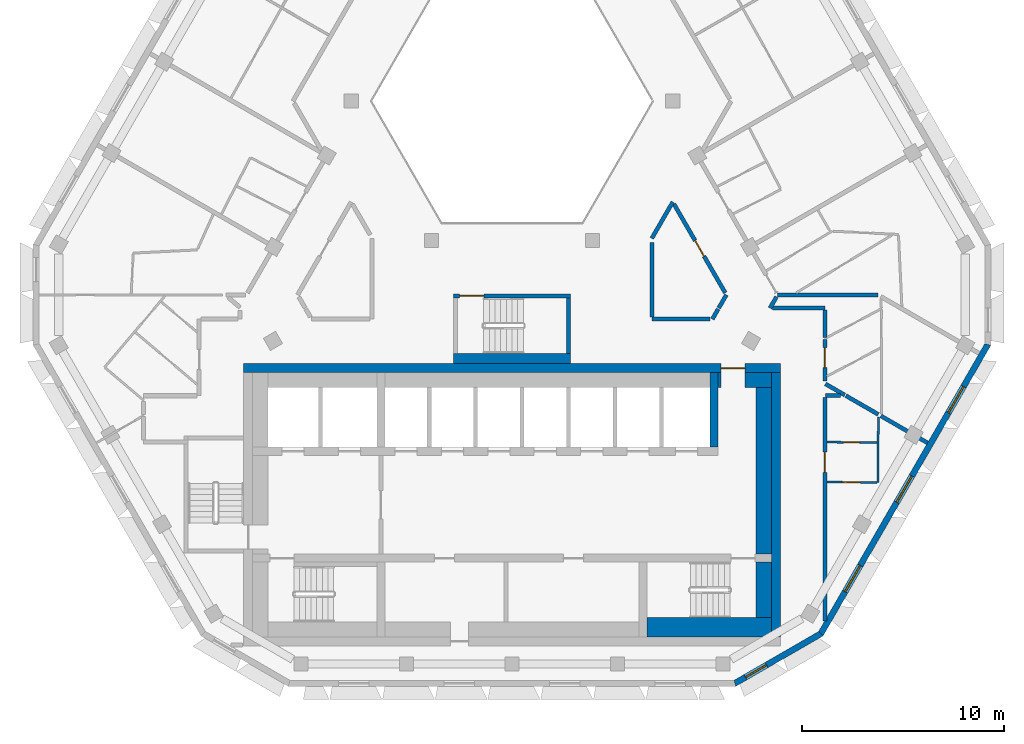
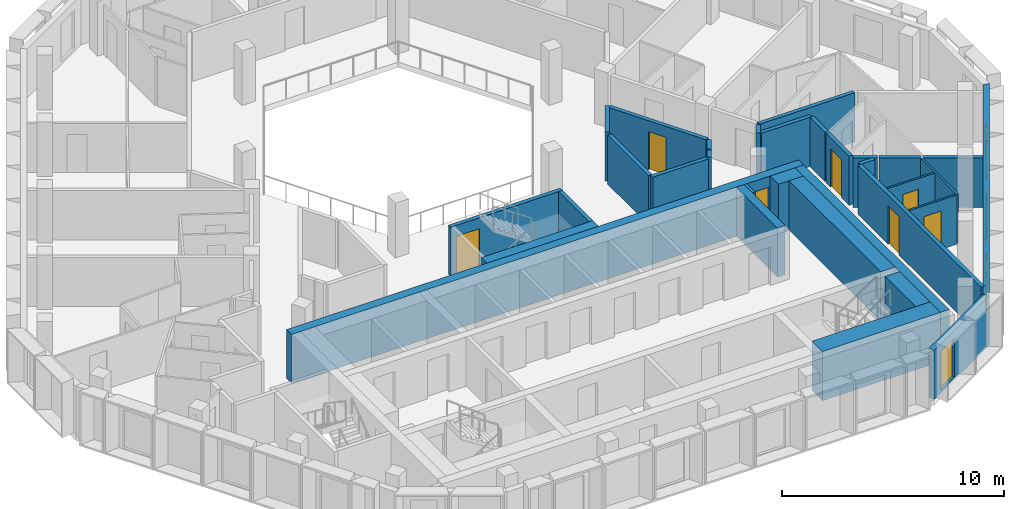
# One storey, part 5 of 15: 32 walls, 7 doors, 4 windows, 11 openings.
"""IFC4 building model written with IfcOpenShell, lengths in metres."""

from ifc_helpers import new_model, si_unit, direction, frame, frame_2d, origin, place, context, subcontext, project, spatial, polyline, rectangle, outline, extrude, material, layer, layer_set, type_object, element, fill, save


model = new_model("IFC4")

# Units and contexts
model_context = context("Model", 3, precision=1e-05, world=origin(), true_north=direction((0.0, 1.0)))
body_context = subcontext(model_context, "Body", "Model", "MODEL_VIEW")
ifc_project = project(units=[si_unit("LENGTHUNIT", "METRE"), si_unit("AREAUNIT", "SQUARE_METRE"), si_unit("VOLUMEUNIT", "CUBIC_METRE"), si_unit("PLANEANGLEUNIT", "RADIAN"), si_unit("MASSUNIT", "GRAM", prefix="KILO")], contexts=[model_context])

# Site, building, storey
site_placement = place(None, origin())
site = spatial("IfcSite", under=ifc_project, at=site_placement, CompositionType="ELEMENT")
building_placement = place(site_placement, origin())
building = spatial("IfcBuilding", under=site, at=building_placement, Name="Beryl Residences", CompositionType="ELEMENT")
storey_placement = place(building_placement, frame((0.0, 0.0, 211.800048828125)))
storey = spatial("IfcBuildingStorey", under=building, at=storey_placement, Name="L65", CompositionType="ELEMENT", Elevation=211.800048828125)

# Wall, opening, window
ifc_material_1 = material(Name="Composite metal panel with mineral wool insulation")
ifc_layer_1 = layer(ifc_material_1, 0.300048828125)
ifc_layer_set_1 = layer_set([ifc_layer_1], Name="ES1 pale metal composite panel wall 300 mm")
wall_type_1 = type_object("IfcWallType", Name="ES1 pale metal composite panel wall 300 mm", PredefinedType="SOLIDWALL", material=ifc_layer_set_1)
wall_1_placement = place(storey_placement, frame((11.010009765625, -20.8701171875, 0.0), z_axis=(0.0, 0.0, 1.0), x_axis=(0.866022959057, 0.500004234368, 0.0)))
wall_1 = element("IfcWall", 1, at=wall_1_placement, inside=storey, type_object=wall_type_1, Name="ES1 external wall L65 S-SE", PredefinedType="SOLIDWALL", context=body_context, shape_type="SweptSolid", body=[
    extrude(outline(polyline([(0.0, -0.14990234375), (5.0, -0.14990234375), (4.919677734375, 0.14990234375), (0.080322265625, 0.14990234375), (0.0, -0.14990234375)])), origin(), (0.0, 0.0, 1.0), 2.699951171875),
])
opening_1_placement = place(wall_1_placement, frame((0.64990234375, 0.0, 0.14990234375)))
opening_1 = element("IfcOpeningElement", 2, at=opening_1_placement, cuts=wall_1, Name="Opening W2", PredefinedType="OPENING", context=body_context, shape_type="SweptSolid", body=[
    extrude(rectangle(XDim=1.199951171875, YDim=2.10009765625, at=frame_2d((0.60009765625, 1.050048828125))), frame((0.0, 0.159912109375, 0.0), z_axis=(0.0, -1.0, 0.0), x_axis=(1.0, 0.0, 0.0)), (0.0, 0.0, 1.0), 0.320068359375),
])
ifc_material_2 = material(Name="Aluminium and clear glass", Category="aluminium")
window_type_1 = type_object("IfcWindowType", Name="W2 chamfer window 1200 x 2100 mm", PartitioningType="SINGLE_PANEL", PredefinedType="WINDOW", material=ifc_material_2)
window_1_placement = place(opening_1_placement, origin())
window_1 = element("IfcWindow", 3, at=window_1_placement, inside=storey, type_object=window_type_1, Name="W2 window L65 S-SE 1", OverallHeight=2.10009765625, OverallWidth=1.199951171875, PartitioningType="SINGLE_PANEL", PredefinedType="WINDOW", context=body_context, shape_type="SweptSolid", body=[
    extrude(rectangle(XDim=1.199951171875, YDim=2.10009765625, at=frame_2d((0.60009765625, 1.050048828125))), frame((0.0, 0.030029296875, 0.0), z_axis=(0.0, -1.0, 0.0), x_axis=(1.0, 0.0, 0.0)), (0.0, 0.0, 1.0), 0.06005859375),
])
fill(opening_1, window_1)

# Wall, openings, windows
wall_2_placement = place(storey_placement, frame((15.284912109375, -18.425048828125, 0.0), z_axis=(0.0, 0.0, 1.0), x_axis=(0.500012653391, 0.866018098222, 0.0)))
wall_2 = element("IfcWall", 4, at=wall_2_placement, inside=storey, type_object=wall_type_1, Name="ES1 external wall L65 SE", PredefinedType="SOLIDWALL", context=body_context, shape_type="SweptSolid", body=[
    extrude(outline(polyline([(0.0, -0.14990234375), (16.6279296875, -0.14990234375), (16.547607421875, 0.14990234375), (0.080322265625, 0.14990234375), (0.0, -0.14990234375)])), origin(), (0.0, 0.0, 1.0), 2.699951171875),
])
opening_2_placement = place(wall_2_placement, frame((2.444091796875, 0.0, 0.14990234375)))
opening_2 = element("IfcOpeningElement", 5, at=opening_2_placement, cuts=wall_2, Name="Opening W1", PredefinedType="OPENING", context=body_context, shape_type="SweptSolid", body=[
    extrude(rectangle(XDim=1.5, YDim=2.10009765625, at=frame_2d((0.75, 1.050048828125))), frame((0.0, 0.159912109375, 0.0), z_axis=(0.0, -1.0, 0.0), x_axis=(1.0, 0.0, 0.0)), (0.0, 0.0, 1.0), 0.320068359375),
])
opening_3_placement = place(wall_2_placement, frame((7.56396484375, 0.0, 0.14990234375)))
opening_3 = element("IfcOpeningElement", 6, at=opening_3_placement, cuts=wall_2, Name="Opening W1", PredefinedType="OPENING", context=body_context, shape_type="SweptSolid", body=[
    extrude(rectangle(XDim=1.5, YDim=2.10009765625, at=frame_2d((0.75, 1.050048828125))), frame((0.0, 0.159912109375, 0.0), z_axis=(0.0, -1.0, 0.0), x_axis=(1.0, 0.0, 0.0)), (0.0, 0.0, 1.0), 0.320068359375),
])
opening_4_placement = place(wall_2_placement, frame((12.681884765625, 0.0, 0.14990234375)))
opening_4 = element("IfcOpeningElement", 7, at=opening_4_placement, cuts=wall_2, Name="Opening W1", PredefinedType="OPENING", context=body_context, shape_type="SweptSolid", body=[
    extrude(rectangle(XDim=1.5, YDim=2.10009765625, at=frame_2d((0.75, 1.050048828125))), frame((0.0, 0.159912109375, 0.0), z_axis=(0.0, -1.0, 0.0), x_axis=(1.0, 0.0, 0.0)), (0.0, 0.0, 1.0), 0.320068359375),
])
ifc_material_3 = material(Name="Aluminium and clear glass", Category="aluminium")
window_type_2 = type_object("IfcWindowType", Name="W1 cell window 1500 x 2100 mm", PartitioningType="SINGLE_PANEL", PredefinedType="WINDOW", material=ifc_material_3)
window_2_placement = place(opening_2_placement, origin())
window_2 = element("IfcWindow", 8, at=window_2_placement, inside=storey, type_object=window_type_2, Name="W1 window L65 SE 2", OverallHeight=2.10009765625, OverallWidth=1.5, PartitioningType="SINGLE_PANEL", PredefinedType="WINDOW", context=body_context, shape_type="SweptSolid", body=[
    extrude(rectangle(XDim=1.5, YDim=2.10009765625, at=frame_2d((0.75, 1.050048828125))), frame((0.0, 0.030029296875, 0.0), z_axis=(0.0, -1.0, 0.0), x_axis=(1.0, 0.0, 0.0)), (0.0, 0.0, 1.0), 0.06005859375),
])
fill(opening_2, window_2)
window_3_placement = place(opening_3_placement, origin())
window_3 = element("IfcWindow", 9, at=window_3_placement, inside=storey, type_object=window_type_2, Name="W1 window L65 SE 4", OverallHeight=2.10009765625, OverallWidth=1.5, PartitioningType="SINGLE_PANEL", PredefinedType="WINDOW", context=body_context, shape_type="SweptSolid", body=[
    extrude(rectangle(XDim=1.5, YDim=2.10009765625, at=frame_2d((0.75, 1.050048828125))), frame((0.0, 0.030029296875, 0.0), z_axis=(0.0, -1.0, 0.0), x_axis=(1.0, 0.0, 0.0)), (0.0, 0.0, 1.0), 0.06005859375),
])
fill(opening_3, window_3)
window_4_placement = place(opening_4_placement, origin())
window_4 = element("IfcWindow", 10, at=window_4_placement, inside=storey, type_object=window_type_2, Name="W1 window L65 SE 6", OverallHeight=2.10009765625, OverallWidth=1.5, PartitioningType="SINGLE_PANEL", PredefinedType="WINDOW", context=body_context, shape_type="SweptSolid", body=[
    extrude(rectangle(XDim=1.5, YDim=2.10009765625, at=frame_2d((0.75, 1.050048828125))), frame((0.0, 0.030029296875, 0.0), z_axis=(0.0, -1.0, 0.0), x_axis=(1.0, 0.0, 0.0)), (0.0, 0.0, 1.0), 0.06005859375),
])
fill(opening_4, window_4)

# Wall, opening, door
ifc_material_4 = material(Name="Gypsum board partition on steel studs", Category="steel")
ifc_layer_2 = layer(ifc_material_4, 0.10009765625)
ifc_layer_set_2 = layer_set([ifc_layer_2], Name="PT1 partition 100 mm gypsum board on steel studs")
wall_type_2 = type_object("IfcWallType", Name="PT1 partition 100 mm gypsum board on steel studs", PredefinedType="PARTITIONING", material=ifc_layer_set_2)
wall_3_placement = place(storey_placement, frame((15.60009765625, -8.90087890625, 0.0), z_axis=(0.0, 0.0, 1.0), x_axis=(0.999986038514, -0.005284200615, 0.0)))
wall_3 = element("IfcWall", 11, at=wall_3_placement, inside=storey, type_object=wall_type_2, Name="Wall PT1 L65 001", PredefinedType="PARTITIONING", context=body_context, shape_type="SweptSolid", body=[
    extrude(rectangle(XDim=2.494873046875, YDim=0.10009765625, at=frame_2d((1.24755859375, 0.0))), origin(), (0.0, 0.0, 1.0), 2.699951171875),
])
opening_5_placement = place(wall_3_placement, frame((0.822998046875, 0.0, 0.0)))
opening_5 = element("IfcOpeningElement", 12, at=opening_5_placement, cuts=wall_3, Name="Opening D2132", PredefinedType="OPENING", context=body_context, shape_type="SweptSolid", body=[
    extrude(rectangle(XDim=0.800048828125, YDim=2.10009765625, at=frame_2d((0.39990234375, 1.050048828125))), frame((0.0, 0.06005859375, 0.0), z_axis=(0.0, -1.0, 0.0), x_axis=(1.0, 0.0, 0.0)), (0.0, 0.0, 1.0), 0.1201171875),
])
ifc_material_5 = material(Name="Timber door leaf", Category="wood")
door_type_1 = type_object("IfcDoorType", Name="D3 bathroom door 800 x 2100 mm", OperationType="SINGLE_SWING_LEFT", PredefinedType="DOOR", material=ifc_material_5)
door_1_placement = place(opening_5_placement, origin())
door_1 = element("IfcDoor", 13, at=door_1_placement, inside=storey, type_object=door_type_1, Name="Door D2132 L65 001", OperationType="SINGLE_SWING_RIGHT", OverallHeight=2.10009765625, OverallWidth=0.800048828125, PredefinedType="DOOR", context=body_context, shape_type="SweptSolid", body=[
    extrude(rectangle(XDim=0.800048828125, YDim=2.10009765625, at=frame_2d((0.39990234375, 1.050048828125))), frame((0.0, 0.02490234375, 0.0), z_axis=(0.0, -1.0, 0.0), x_axis=(1.0, 0.0, 0.0)), (0.0, 0.0, 1.0), 0.050048828125),
])
fill(opening_5, door_1)

wall_4_placement = place(storey_placement, frame((15.60009765625, -10.881103515625, 0.0), z_axis=(0.0, 0.0, 1.0), x_axis=(0.999986431575, -0.005209286502, 0.0)))
wall_4 = element("IfcWall", 14, at=wall_4_placement, inside=storey, type_object=wall_type_2, Name="Wall PT1 L65 002", PredefinedType="PARTITIONING", context=body_context, shape_type="SweptSolid", body=[
    extrude(rectangle(XDim=2.48388671875, YDim=0.10009765625, at=frame_2d((1.241943359375, 0.0))), origin(), (0.0, 0.0, 1.0), 2.699951171875),
])
opening_6_placement = place(wall_4_placement, frame((0.76806640625, 0.0, 0.0)))
opening_6 = element("IfcOpeningElement", 15, at=opening_6_placement, cuts=wall_4, Name="Opening D2131", PredefinedType="OPENING", context=body_context, shape_type="SweptSolid", body=[
    extrude(rectangle(XDim=0.89990234375, YDim=2.10009765625, at=frame_2d((0.449951171875, 1.050048828125))), frame((0.0, 0.06005859375, 0.0), z_axis=(0.0, -1.0, 0.0), x_axis=(1.0, 0.0, 0.0)), (0.0, 0.0, 1.0), 0.1201171875),
])
ifc_material_6 = material(Name="Timber door leaf", Category="wood")
door_type_2 = type_object("IfcDoorType", Name="D2 room door 900 x 2100 mm", OperationType="SINGLE_SWING_LEFT", PredefinedType="DOOR", material=ifc_material_6)
door_2_placement = place(opening_6_placement, origin())
door_2 = element("IfcDoor", 16, at=door_2_placement, inside=storey, type_object=door_type_2, Name="Door D2131 L65 001", OperationType="SINGLE_SWING_LEFT", OverallHeight=2.10009765625, OverallWidth=0.89990234375, PredefinedType="DOOR", context=body_context, shape_type="SweptSolid", body=[
    extrude(rectangle(XDim=0.89990234375, YDim=2.10009765625, at=frame_2d((0.449951171875, 1.050048828125))), frame((0.0, 0.02490234375, 0.0), z_axis=(0.0, -1.0, 0.0), x_axis=(1.0, 0.0, 0.0)), (0.0, 0.0, 1.0), 0.050048828125),
])
fill(opening_6, door_2)

# Walls
wall_5_placement = place(storey_placement, frame((18.135009765625, -10.89306640625, 0.0), z_axis=(0.0, 0.0, 1.0), x_axis=(0.005255182688, 0.999986191432, 0.0)))
element("IfcWall", 17, at=wall_5_placement, inside=storey, type_object=wall_type_2, Name="Wall PT1 L65 036", PredefinedType="PARTITIONING", context=body_context, shape_type="SweptSolid", body=[
    extrude(rectangle(XDim=3.251953125, YDim=0.10009765625, at=frame_2d((1.6259765625, 0.0))), origin(), (0.0, 0.0, 1.0), 2.699951171875),
])
ifc_material_7 = material(Name="Concrete masonry", Category="masonry")
ifc_layer_3 = layer(ifc_material_7, 0.14990234375)
ifc_layer_set_3 = layer_set([ifc_layer_3], Name="PT13-150 lobby wall 150 mm")
wall_type_3 = type_object("IfcWallType", Name="PT13-150 lobby wall 150 mm", PredefinedType="PARTITIONING", material=ifc_layer_set_3)
wall_6_placement = place(storey_placement, frame((10.27490234375, -6.199951171875, 0.0), z_axis=(0.0, 0.0, 1.0), x_axis=(0.0, 1.0, 0.0)))
element("IfcWall", 18, at=wall_6_placement, inside=storey, type_object=wall_type_3, Name="Lobby wall 24", PredefinedType="PARTITIONING", context=body_context, shape_type="SweptSolid", body=[
    extrude(rectangle(XDim=0.75, YDim=0.14990234375, at=frame_2d((0.375, 0.0))), origin(), (0.0, 0.0, 1.0), 2.699951171875),
])
ifc_material_8 = material(Name="Concrete masonry", Category="masonry")
ifc_layer_4 = layer(ifc_material_8, 0.75)
ifc_layer_set_4 = layer_set([ifc_layer_4], Name="PT13-750 lobby wall 750 mm")
wall_type_4 = type_object("IfcWallType", Name="PT13-750 lobby wall 750 mm", PredefinedType="PARTITIONING", material=ifc_layer_set_4)
wall_7_placement = place(storey_placement, frame((11.550048828125, -5.824951171875, 0.0), z_axis=(0.0, 0.0, 1.0), x_axis=(1.0, 0.0, 0.0)))
element("IfcWall", 19, at=wall_7_placement, inside=storey, type_object=wall_type_4, Name="Lobby wall 25", PredefinedType="PARTITIONING", context=body_context, shape_type="SweptSolid", body=[
    extrude(rectangle(XDim=1.300048828125, YDim=0.75, at=frame_2d((0.64990234375, 0.0))), origin(), (0.0, 0.0, 1.0), 2.699951171875),
])
wall_8_placement = place(storey_placement, frame((12.47509765625, -14.449951171875, 0.0), z_axis=(0.0, 0.0, 1.0), x_axis=(0.0, 1.0, 0.0)))
element("IfcWall", 20, at=wall_8_placement, inside=storey, type_object=wall_type_4, Name="Lobby wall 27", PredefinedType="PARTITIONING", context=body_context, shape_type="SweptSolid", body=[
    extrude(rectangle(XDim=8.25, YDim=0.75, at=frame_2d((4.125, 0.0))), origin(), (0.0, 0.0, 1.0), 2.699951171875),
])
ifc_material_9 = material(Name="Acoustic double stud gypsum board wall")
ifc_layer_5 = layer(ifc_material_9, 0.199951171875)
ifc_layer_set_5 = layer_set([ifc_layer_5], Name="PT3 party wall 200 mm acoustic double stud")
wall_type_5 = type_object("IfcWallType", Name="PT3 party wall 200 mm acoustic double stud", PredefinedType="PARTITIONING", material=ifc_layer_set_5)
wall_9_placement = place(storey_placement, frame((15.530029296875, -6.591064453125, 0.0), z_axis=(0.0, 0.0, 1.0), x_axis=(0.999992350786, -0.003911312976, 0.0)))
element("IfcWall", 21, at=wall_9_placement, inside=storey, type_object=wall_type_5, Name="Wall PT3 L65 001", PredefinedType="PARTITIONING", context=body_context, shape_type="SweptSolid", body=[
    extrude(rectangle(XDim=0.7490234375, YDim=0.199951171875, at=frame_2d((0.37451171875, 0.0))), origin(), (0.0, 0.0, 1.0), 2.699951171875),
])
wall_10_placement = place(storey_placement, frame((15.530029296875, -6.011962890625, 0.0), z_axis=(0.0, 0.0, 1.0), x_axis=(0.866075331272, -0.499913513082, 0.0)))
element("IfcWall", 22, at=wall_10_placement, inside=storey, type_object=wall_type_5, Name="Wall PT3 L65 007", PredefinedType="PARTITIONING", context=body_context, shape_type="SweptSolid", body=[
    extrude(rectangle(XDim=1.106201171875, YDim=0.199951171875, at=frame_2d((0.55322265625, 0.0))), origin(), (0.0, 0.0, 1.0), 2.699951171875),
])
wall_11_placement = place(storey_placement, frame((16.541015625, -6.595947265625, 0.0), z_axis=(0.0, 0.0, 1.0), x_axis=(0.866078502609, -0.499908018857, 0.0)))
element("IfcWall", 23, at=wall_11_placement, inside=storey, type_object=wall_type_5, Name="Wall PT3 L65 008", PredefinedType="PARTITIONING", context=body_context, shape_type="SweptSolid", body=[
    extrude(rectangle(XDim=1.860107421875, YDim=0.199951171875, at=frame_2d((0.93017578125, 0.0))), origin(), (0.0, 0.0, 1.0), 2.699951171875),
])
wall_12_placement = place(storey_placement, frame((18.280029296875, -7.60009765625, 0.0), z_axis=(0.0, 0.0, 1.0), x_axis=(0.866072847874, -0.499917815422, 0.0)))
element("IfcWall", 24, at=wall_12_placement, inside=storey, type_object=wall_type_5, Name="Wall PT3 L65 009", PredefinedType="PARTITIONING", context=body_context, shape_type="SweptSolid", body=[
    extrude(rectangle(XDim=2.66845703125, YDim=0.199951171875, at=frame_2d((1.334228515625, 0.0))), origin(), (0.0, 0.0, 1.0), 2.699951171875),
])
wall_13_placement = place(storey_placement, frame((13.1630859375, -1.59912109375, 0.0), z_axis=(0.0, 0.0, 1.0), x_axis=(1.0, 0.0, 0.0)))
element("IfcWall", 25, at=wall_13_placement, inside=storey, type_object=wall_type_5, Name="Wall PT3 L65 012", PredefinedType="PARTITIONING", context=body_context, shape_type="SweptSolid", body=[
    extrude(rectangle(XDim=4.9619140625, YDim=0.199951171875, at=frame_2d((2.48095703125, 0.0))), origin(), (0.0, 0.0, 1.0), 2.699951171875),
])

# Wall, opening, door
ifc_material_10 = material(Name="Double stud gypsum board wall")
ifc_layer_6 = layer(ifc_material_10, 0.199951171875)
ifc_layer_set_6 = layer_set([ifc_layer_6], Name="PT4 corridor wall 200 mm double stud")
wall_type_6 = type_object("IfcWallType", Name="PT4 corridor wall 200 mm double stud", PredefinedType="PARTITIONING", material=ifc_layer_set_6)
wall_14_placement = place(storey_placement, frame((8.02587890625, 2.89892578125, 0.0), z_axis=(0.0, 0.0, 1.0), x_axis=(0.499986018985, -0.866033475577, 0.0)))
wall_14 = element("IfcWall", 26, at=wall_14_placement, inside=storey, type_object=wall_type_6, Name="Wall PT4 L65 005", PredefinedType="PARTITIONING", context=body_context, shape_type="SweptSolid", body=[
    extrude(rectangle(XDim=5.078369140625, YDim=0.199951171875, at=frame_2d((2.5390625, 0.0))), origin(), (0.0, 0.0, 1.0), 2.699951171875),
])
opening_7_placement = place(wall_14_placement, frame((2.089111328125, 0.0, 0.0)))
opening_7 = element("IfcOpeningElement", 27, at=opening_7_placement, cuts=wall_14, Name="Opening D2145", PredefinedType="OPENING", context=body_context, shape_type="SweptSolid", body=[
    extrude(rectangle(XDim=0.89990234375, YDim=2.10009765625, at=frame_2d((0.449951171875, 1.050048828125))), frame((0.0, 0.10986328125, 0.0), z_axis=(0.0, -1.0, 0.0), x_axis=(1.0, 0.0, 0.0)), (0.0, 0.0, 1.0), 0.219970703125),
])
door_3_placement = place(opening_7_placement, origin())
door_3 = element("IfcDoor", 28, at=door_3_placement, inside=storey, type_object=door_type_2, Name="Door D2145 L65 001", OperationType="SINGLE_SWING_LEFT", OverallHeight=2.10009765625, OverallWidth=0.89990234375, PredefinedType="DOOR", context=body_context, shape_type="SweptSolid", body=[
    extrude(rectangle(XDim=0.89990234375, YDim=2.10009765625, at=frame_2d((0.449951171875, 1.050048828125))), frame((0.0, 0.02490234375, 0.0), z_axis=(0.0, -1.0, 0.0), x_axis=(1.0, 0.0, 0.0)), (0.0, 0.0, 1.0), 0.050048828125),
])
fill(opening_7, door_3)

# Walls
wall_15_placement = place(storey_placement, frame((6.927978515625, 1.0, 0.0), z_axis=(0.0, 0.0, 1.0), x_axis=(0.0, -1.0, 0.0)))
element("IfcWall", 29, at=wall_15_placement, inside=storey, type_object=wall_type_6, Name="Wall PT4 L65 009", PredefinedType="PARTITIONING", context=body_context, shape_type="SweptSolid", body=[
    extrude(rectangle(XDim=3.698974609375, YDim=0.199951171875, at=frame_2d((1.849609375, 0.0))), origin(), (0.0, 0.0, 1.0), 2.699951171875),
])
wall_16_placement = place(storey_placement, frame((15.5, -2.35595703125, 0.0), z_axis=(0.0, 0.0, 1.0), x_axis=(0.0, -1.0, 0.0)))
element("IfcWall", 30, at=wall_16_placement, inside=storey, type_object=wall_type_6, Name="Wall PT4 L65 010", PredefinedType="PARTITIONING", context=body_context, shape_type="SweptSolid", body=[
    extrude(rectangle(XDim=1.35400390625, YDim=0.199951171875, at=frame_2d((0.677001953125, 0.0))), origin(), (0.0, 0.0, 1.0), 2.699951171875),
])
wall_17_placement = place(storey_placement, frame((12.902099609375, -2.256103515625, 0.0), z_axis=(0.0, 0.0, 1.0), x_axis=(1.0, 0.0, 0.0)))
element("IfcWall", 31, at=wall_17_placement, inside=storey, type_object=wall_type_6, Name="Wall PT4 L65 013", PredefinedType="PARTITIONING", context=body_context, shape_type="SweptSolid", body=[
    extrude(rectangle(XDim=2.597900390625, YDim=0.199951171875, at=frame_2d((1.298828125, 0.0))), origin(), (0.0, 0.0, 1.0), 2.699951171875),
])
wall_18_placement = place(storey_placement, frame((6.928955078125, -2.800048828125, 0.0), z_axis=(0.0, 0.0, 1.0), x_axis=(1.0, 0.0, 0.0)))
element("IfcWall", 32, at=wall_18_placement, inside=storey, type_object=wall_type_6, Name="Wall PT4 L65 016", PredefinedType="PARTITIONING", context=body_context, shape_type="SweptSolid", body=[
    extrude(rectangle(XDim=2.885009765625, YDim=0.199951171875, at=frame_2d((1.4423828125, 0.0))), origin(), (0.0, 0.0, 1.0), 2.699951171875),
])
wall_19_placement = place(storey_placement, frame((6.927978515625, 1.199951171875, 0.0), z_axis=(0.0, 0.0, 1.0), x_axis=(0.500132712588, 0.865948768577, 0.0)))
element("IfcWall", 33, at=wall_19_placement, inside=storey, type_object=wall_type_6, Name="Wall PT4 L65 018", PredefinedType="PARTITIONING", context=body_context, shape_type="SweptSolid", body=[
    extrude(rectangle(XDim=2.07763671875, YDim=0.199951171875, at=frame_2d((1.038818359375, 0.0))), origin(), (0.0, 0.0, 1.0), 2.699951171875),
])
wall_20_placement = place(storey_placement, frame((9.929931640625, -2.800048828125, 0.0), z_axis=(0.0, 0.0, 1.0), x_axis=(0.500164219654, 0.865930570761, 0.0)))
element("IfcWall", 34, at=wall_20_placement, inside=storey, type_object=wall_type_6, Name="Wall PT4 L65 020", PredefinedType="PARTITIONING", context=body_context, shape_type="SweptSolid", body=[
    extrude(rectangle(XDim=0.573974609375, YDim=0.199951171875, at=frame_2d((0.287109375, 0.0))), origin(), (0.0, 0.0, 1.0), 2.699951171875),
])
wall_21_placement = place(storey_placement, frame((10.243896484375, -2.2548828125, 0.0), z_axis=(0.0, 0.0, 1.0), x_axis=(0.50109986513, 0.865389464442, 0.0)))
element("IfcWall", 35, at=wall_21_placement, inside=storey, type_object=wall_type_6, Name="Wall PT4 L65 021", PredefinedType="PARTITIONING", context=body_context, shape_type="SweptSolid", body=[
    extrude(rectangle(XDim=0.756591796875, YDim=0.199951171875, at=frame_2d((0.37841796875, 0.0))), origin(), (0.0, 0.0, 1.0), 2.699951171875),
])
wall_22_placement = place(storey_placement, frame((12.784912109375, -2.25390625, 0.0), z_axis=(0.0, 0.0, 1.0), x_axis=(0.500766044352, 0.865582675903, 0.0)))
element("IfcWall", 36, at=wall_22_placement, inside=storey, type_object=wall_type_6, Name="Wall PT4 L65 022", PredefinedType="PARTITIONING", context=body_context, shape_type="SweptSolid", body=[
    extrude(rectangle(XDim=0.64111328125, YDim=0.199951171875, at=frame_2d((0.320556640625, 0.0))), origin(), (0.0, 0.0, 1.0), 2.699951171875),
])

# Wall, opening, door
wall_23_placement = place(storey_placement, frame((15.5, -17.751953125, 0.0), z_axis=(0.0, 0.0, 1.0), x_axis=(0.0, 1.0, 0.0)))
wall_23 = element("IfcWall", 37, at=wall_23_placement, inside=storey, type_object=wall_type_6, Name="Wall PT4 L65 026", PredefinedType="PARTITIONING", context=body_context, shape_type="SweptSolid", body=[
    extrude(rectangle(XDim=11.06201171875, YDim=0.199951171875, at=frame_2d((5.531005859375, 0.0))), origin(), (0.0, 0.0, 1.0), 2.699951171875),
])
opening_8_placement = place(wall_23_placement, frame((7.361083984375, 0.0, 0.0)))
opening_8 = element("IfcOpeningElement", 38, at=opening_8_placement, cuts=wall_23, Name="Opening D2130", PredefinedType="OPENING", context=body_context, shape_type="SweptSolid", body=[
    extrude(rectangle(XDim=1.0, YDim=2.10009765625, at=frame_2d((0.5, 1.050048828125))), frame((0.0, 0.10986328125, 0.0), z_axis=(0.0, -1.0, 0.0), x_axis=(1.0, 0.0, 0.0)), (0.0, 0.0, 1.0), 0.219970703125),
])
ifc_material_11 = material(Name="Timber door leaf", Category="wood")
door_type_3 = type_object("IfcDoorType", Name="D1 flat entrance door 1000 x 2100 mm", OperationType="SINGLE_SWING_LEFT", PredefinedType="DOOR", material=ifc_material_11)
door_4_placement = place(opening_8_placement, origin())
door_4 = element("IfcDoor", 39, at=door_4_placement, inside=storey, type_object=door_type_3, Name="Door D2130 L65 001", OperationType="SINGLE_SWING_RIGHT", OverallHeight=2.10009765625, OverallWidth=1.0, PredefinedType="DOOR", context=body_context, shape_type="SweptSolid", body=[
    extrude(rectangle(XDim=1.0, YDim=2.10009765625, at=frame_2d((0.5, 1.050048828125))), frame((0.0, 0.02490234375, 0.0), z_axis=(0.0, -1.0, 0.0), x_axis=(1.0, 0.0, 0.0)), (0.0, 0.0, 1.0), 0.050048828125),
])
fill(opening_8, door_4)

wall_24_placement = place(storey_placement, frame((15.5, -5.87890625, 0.0), z_axis=(0.0, 0.0, 1.0), x_axis=(0.0, 1.0, 0.0)))
wall_24 = element("IfcWall", 40, at=wall_24_placement, inside=storey, type_object=wall_type_6, Name="Wall PT4 L65 027", PredefinedType="PARTITIONING", context=body_context, shape_type="SweptSolid", body=[
    extrude(rectangle(XDim=2.055908203125, YDim=0.199951171875, at=frame_2d((1.02783203125, 0.0))), origin(), (0.0, 0.0, 1.0), 2.699951171875),
])
opening_9_placement = place(wall_24_placement, frame((0.66796875, 0.0, 0.0)))
opening_9 = element("IfcOpeningElement", 41, at=opening_9_placement, cuts=wall_24, Name="Opening D2133", PredefinedType="OPENING", context=body_context, shape_type="SweptSolid", body=[
    extrude(rectangle(XDim=1.0, YDim=2.10009765625, at=frame_2d((0.5, 1.050048828125))), frame((0.0, 0.10986328125, 0.0), z_axis=(0.0, -1.0, 0.0), x_axis=(1.0, 0.0, 0.0)), (0.0, 0.0, 1.0), 0.219970703125),
])
door_5_placement = place(opening_9_placement, origin())
door_5 = element("IfcDoor", 42, at=door_5_placement, inside=storey, type_object=door_type_3, Name="Door D2133 L65 001", OperationType="SINGLE_SWING_LEFT", OverallHeight=2.10009765625, OverallWidth=1.0, PredefinedType="DOOR", context=body_context, shape_type="SweptSolid", body=[
    extrude(rectangle(XDim=1.0, YDim=2.10009765625, at=frame_2d((0.5, 1.050048828125))), frame((0.0, 0.02490234375, 0.0), z_axis=(0.0, -1.0, 0.0), x_axis=(1.0, 0.0, 0.0)), (0.0, 0.0, 1.0), 0.050048828125),
])
fill(opening_9, door_5)

ifc_material_12 = material(Name="Concrete C40/50", Category="concrete")
ifc_layer_7 = layer(ifc_material_12, 0.199951171875)
ifc_layer_set_7 = layer_set([ifc_layer_7], Name="PT5 stair enclosure wall 200 mm reinforced concrete C40/50")
wall_type_7 = type_object("IfcWallType", Name="PT5 stair enclosure wall 200 mm reinforced concrete C40/50", PredefinedType="SOLIDWALL", material=ifc_layer_set_7)
wall_25_placement = place(storey_placement, frame((-2.89990234375, -1.64990234375, 0.0), z_axis=(0.0, 0.0, 1.0), x_axis=(1.0, 0.0, 0.0)))
wall_25 = element("IfcWall", 43, at=wall_25_placement, inside=storey, type_object=wall_type_7, Name="Wall PT5 L65 001", PredefinedType="SOLIDWALL", context=body_context, shape_type="SweptSolid", body=[
    extrude(rectangle(XDim=5.7998046875, YDim=0.199951171875, at=frame_2d((2.89990234375, 0.0))), origin(), (0.0, 0.0, 1.0), 2.699951171875),
])
opening_10_placement = place(wall_25_placement, frame((0.300048828125, 0.0, 0.0)))
opening_10 = element("IfcOpeningElement", 44, at=opening_10_placement, cuts=wall_25, Name="Opening DS04", PredefinedType="OPENING", context=body_context, shape_type="SweptSolid", body=[
    extrude(rectangle(XDim=1.199951171875, YDim=2.10009765625, at=frame_2d((0.60009765625, 1.050048828125))), frame((0.0, 0.10986328125, 0.0), z_axis=(0.0, -1.0, 0.0), x_axis=(1.0, 0.0, 0.0)), (0.0, 0.0, 1.0), 0.219970703125),
])
ifc_material_13 = material(Name="Steel door leaf in steel frame", Category="steel")
door_type_4 = type_object("IfcDoorType", Name="D4 stair door 1200 x 2100 mm", OperationType="SINGLE_SWING_LEFT", PredefinedType="DOOR", material=ifc_material_13)
door_6_placement = place(opening_10_placement, origin())
door_6 = element("IfcDoor", 45, at=door_6_placement, inside=storey, type_object=door_type_4, Name="Door DS04 L65 001", OperationType="SINGLE_SWING_LEFT", OverallHeight=2.10009765625, OverallWidth=1.199951171875, PredefinedType="DOOR", context=body_context, shape_type="SweptSolid", body=[
    extrude(rectangle(XDim=1.199951171875, YDim=2.10009765625, at=frame_2d((0.60009765625, 1.050048828125))), frame((0.0, 0.02490234375, 0.0), z_axis=(0.0, -1.0, 0.0), x_axis=(1.0, 0.0, 0.0)), (0.0, 0.0, 1.0), 0.050048828125),
])
fill(opening_10, door_6)

# Walls
wall_26_placement = place(storey_placement, frame((2.800048828125, -4.5, 0.0), z_axis=(0.0, 0.0, 1.0), x_axis=(0.0, 1.0, 0.0)))
element("IfcWall", 46, at=wall_26_placement, inside=storey, type_object=wall_type_7, Name="Wall PT5 L65 003", PredefinedType="SOLIDWALL", context=body_context, shape_type="SweptSolid", body=[
    extrude(rectangle(XDim=2.75, YDim=0.199951171875, at=frame_2d((1.375, 0.0))), origin(), (0.0, 0.0, 1.0), 2.699951171875),
])
ifc_material_14 = material(Name="Concrete C40/50", Category="concrete")
ifc_layer_8 = layer(ifc_material_14, 0.5)
ifc_layer_set_8 = layer_set([ifc_layer_8], Name="PT5-500 stair enclosure wall 500 mm")
wall_type_8 = type_object("IfcWallType", Name="PT5-500 stair enclosure wall 500 mm", PredefinedType="SOLIDWALL", material=ifc_layer_set_8)
wall_27_placement = place(storey_placement, frame((-2.89990234375, -4.75, 0.0), z_axis=(0.0, 0.0, 1.0), x_axis=(1.0, 0.0, 0.0)))
element("IfcWall", 47, at=wall_27_placement, inside=storey, type_object=wall_type_8, Name="Wall PT5-500 L65 001", PredefinedType="SOLIDWALL", context=body_context, shape_type="SweptSolid", body=[
    extrude(rectangle(XDim=5.7998046875, YDim=0.5, at=frame_2d((2.89990234375, 0.0))), origin(), (0.0, 0.0, 1.0), 2.699951171875),
])
ifc_material_15 = material(Name="Concrete C40/50", Category="concrete")
ifc_layer_9 = layer(ifc_material_15, 0.75)
ifc_layer_set_9 = layer_set([ifc_layer_9], Name="PT5-750 stair enclosure wall 750 mm")
wall_type_9 = type_object("IfcWallType", Name="PT5-750 stair enclosure wall 750 mm", PredefinedType="SOLIDWALL", material=ifc_layer_set_9)
wall_28_placement = place(storey_placement, frame((12.47509765625, -17.60009765625, 0.0), z_axis=(0.0, 0.0, 1.0), x_axis=(0.0, 1.0, 0.0)))
element("IfcWall", 48, at=wall_28_placement, inside=storey, type_object=wall_type_9, Name="Stair wall 26", PredefinedType="SOLIDWALL", context=body_context, shape_type="SweptSolid", body=[
    extrude(rectangle(XDim=2.75, YDim=0.75, at=frame_2d((1.375, 0.0))), origin(), (0.0, 0.0, 1.0), 2.699951171875),
])
ifc_material_16 = material(Name="Concrete C40/50", Category="concrete")
ifc_layer_10 = layer(ifc_material_16, 0.949951171875)
ifc_layer_set_10 = layer_set([ifc_layer_10], Name="PT5-950 stair enclosure wall 950 mm")
wall_type_10 = type_object("IfcWallType", Name="PT5-950 stair enclosure wall 950 mm", PredefinedType="SOLIDWALL", material=ifc_layer_set_10)
wall_29_placement = place(storey_placement, frame((6.699951171875, -18.074951171875, 0.0), z_axis=(0.0, 0.0, 1.0), x_axis=(1.0, 0.0, 0.0)))
element("IfcWall", 49, at=wall_29_placement, inside=storey, type_object=wall_type_10, Name="Stair wall 22", PredefinedType="SOLIDWALL", context=body_context, shape_type="SweptSolid", body=[
    extrude(rectangle(XDim=6.150146484375, YDim=0.949951171875, at=frame_2d((3.0751953125, 0.0))), origin(), (0.0, 0.0, 1.0), 2.699951171875),
])
ifc_material_17 = material(Name="Concrete C50/60", Category="concrete")
ifc_layer_11 = layer(ifc_material_17, 0.39990234375)
ifc_layer_set_11 = layer_set([ifc_layer_11], Name="SW10 core internal wall 400 mm C50/60")
wall_type_11 = type_object("IfcWallType", Name="SW10 core internal wall 400 mm C50/60", PredefinedType="SHEAR", material=ifc_layer_set_11)
wall_30_placement = place(storey_placement, frame((10.0, -9.14990234375, 0.0), z_axis=(0.0, 0.0, 1.0), x_axis=(0.0, 1.0, 0.0)))
element("IfcWall", 50, at=wall_30_placement, inside=storey, type_object=wall_type_11, Name="Core wall XN2 L65", PredefinedType="SHEAR", context=body_context, shape_type="SweptSolid", body=[
    extrude(rectangle(XDim=3.699951171875, YDim=0.39990234375, at=frame_2d((1.85009765625, 0.0))), origin(), (0.0, 0.0, 1.0), 2.699951171875),
])

# Wall, opening, door
ifc_material_18 = material(Name="Concrete C50/60", Category="concrete")
ifc_layer_12 = layer(ifc_material_18, 0.449951171875)
ifc_layer_set_12 = layer_set([ifc_layer_12], Name="SW5 core outer wall 450 mm C50/60")
wall_type_12 = type_object("IfcWallType", Name="SW5 core outer wall 450 mm C50/60", PredefinedType="SHEAR", material=ifc_layer_set_12)
wall_31_placement = place(storey_placement, frame((-13.300048828125, -5.22509765625, 0.0), z_axis=(0.0, 0.0, 1.0), x_axis=(1.0, 0.0, 0.0)))
wall_31 = element("IfcWall", 51, at=wall_31_placement, inside=storey, type_object=wall_type_12, Name="Core wall N L65", PredefinedType="SHEAR", context=body_context, shape_type="SweptSolid", body=[
    extrude(rectangle(XDim=26.60009765625, YDim=0.449951171875, at=frame_2d((13.300048828125, 0.0))), origin(), (0.0, 0.0, 1.0), 2.699951171875),
])
opening_11_placement = place(wall_31_placement, frame((23.64990234375, 0.0, 0.0)))
opening_11 = element("IfcOpeningElement", 52, at=opening_11_placement, cuts=wall_31, Name="Opening FD-NORTH", PredefinedType="OPENING", context=body_context, shape_type="SweptSolid", body=[
    extrude(rectangle(XDim=1.199951171875, YDim=2.10009765625, at=frame_2d((0.60009765625, 1.050048828125))), frame((0.0, 0.23486328125, 0.0), z_axis=(0.0, -1.0, 0.0), x_axis=(1.0, 0.0, 0.0)), (0.0, 0.0, 1.0), 0.469970703125),
])
ifc_material_19 = material(Name="Steel door leaf in steel frame", Category="steel")
door_type_5 = type_object("IfcDoorType", Name="D22 lobby door 1200 x 2100 mm", OperationType="DOUBLE_DOOR_SINGLE_SWING", PredefinedType="DOOR", material=ifc_material_19)
door_7_placement = place(opening_11_placement, origin())
door_7 = element("IfcDoor", 53, at=door_7_placement, inside=storey, type_object=door_type_5, Name="Door FD-NORTH L65 001", OperationType="DOUBLE_DOOR_SINGLE_SWING", OverallHeight=2.10009765625, OverallWidth=1.199951171875, PredefinedType="DOOR", context=body_context, shape_type="SweptSolid", body=[
    extrude(rectangle(XDim=1.199951171875, YDim=2.10009765625, at=frame_2d((0.60009765625, 1.050048828125))), frame((0.0, 0.02490234375, 0.0), z_axis=(0.0, -1.0, 0.0), x_axis=(1.0, 0.0, 0.0)), (0.0, 0.0, 1.0), 0.050048828125),
])
fill(opening_11, door_7)

# Wall
wall_32_placement = place(storey_placement, frame((13.074951171875, -18.550048828125, 0.0), z_axis=(0.0, 0.0, 1.0), x_axis=(0.0, 1.0, 0.0)))
element("IfcWall", 54, at=wall_32_placement, inside=storey, type_object=wall_type_12, Name="Core wall E L65", PredefinedType="SHEAR", context=body_context, shape_type="SweptSolid", body=[
    extrude(rectangle(XDim=13.10009765625, YDim=0.449951171875, at=frame_2d((6.550048828125, 0.0))), origin(), (0.0, 0.0, 1.0), 2.699951171875),
])

save(model, "model.ifc")
